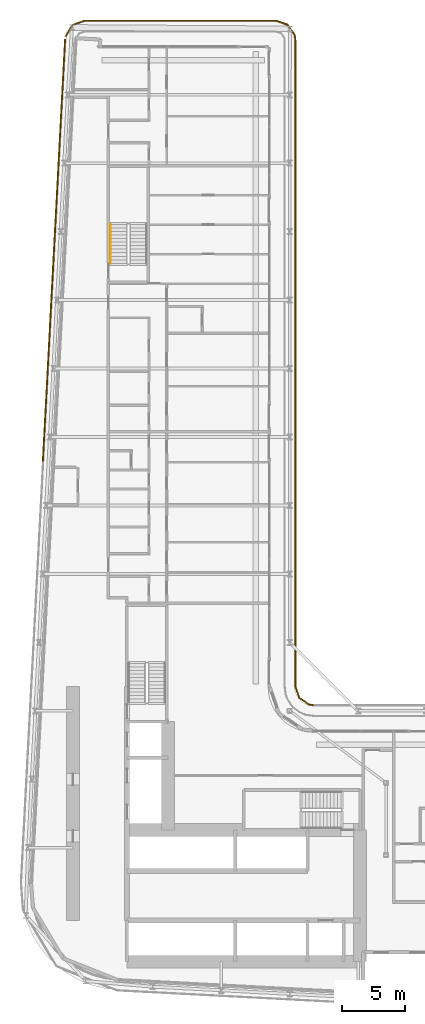
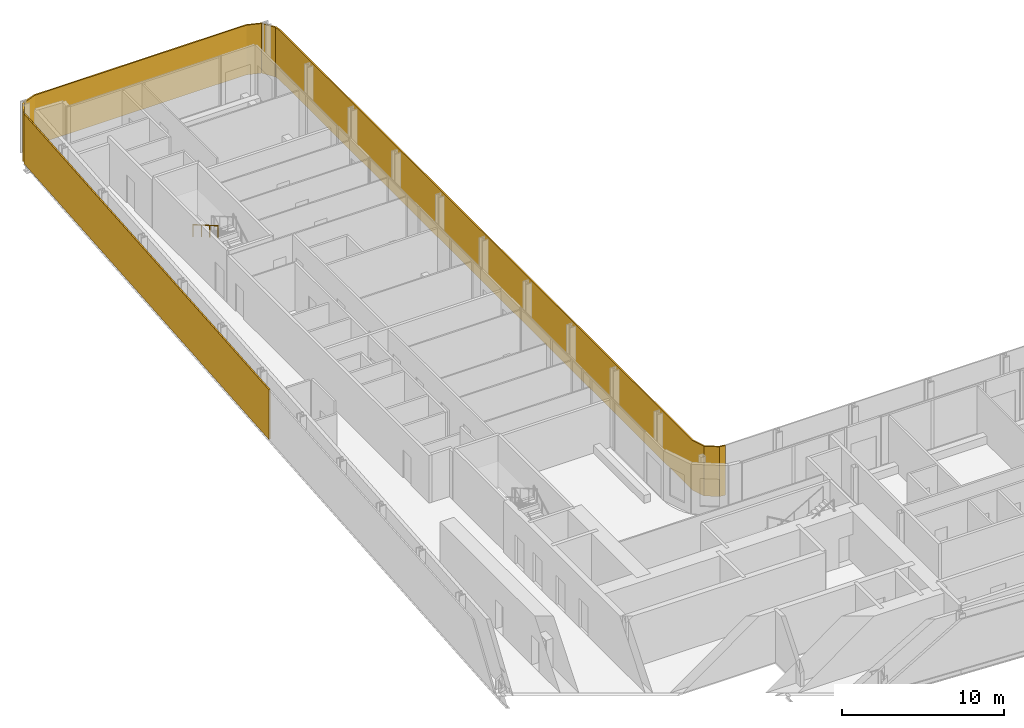
# One storey, part 23 of 25: 2 shading devices, 1 railing.
"""IFC4 building model written with IfcOpenShell, lengths in metres."""

from ifc_helpers import new_model, si_unit, direction, frame, origin, origin_2d, place, context, subcontext, project, spatial, polyline, rectangle, circle, outline, extrude, material, layer, layer_set, type_object, element, save


model = new_model("IFC4")

# Units and contexts
model_context = context("Model", 3, precision=1e-05, world=origin(), true_north=direction((0.0, 1.0)))
body_context = subcontext(model_context, "Body", "Model", "MODEL_VIEW")
ifc_project = project(units=[si_unit("LENGTHUNIT", "METRE"), si_unit("AREAUNIT", "SQUARE_METRE"), si_unit("VOLUMEUNIT", "CUBIC_METRE"), si_unit("PLANEANGLEUNIT", "RADIAN"), si_unit("MASSUNIT", "GRAM", prefix="KILO")], contexts=[model_context])

# Site, building, storey
site_placement = place(None, origin())
site = spatial("IfcSite", under=ifc_project, at=site_placement, CompositionType="ELEMENT")
building_placement = place(site_placement, origin())
building = spatial("IfcBuilding", under=site, at=building_placement, Name="Kheshtan School and Residences Tower", CompositionType="ELEMENT")
storey_placement = place(building_placement, frame((0.0, 0.0, 34.39990234375)))
storey = spatial("IfcBuildingStorey", under=building, at=storey_placement, Name="L07", CompositionType="ELEMENT", Elevation=34.39990234375)

# Shading devices
ifc_material_1 = material(Name="Terracotta baguette, extruded ceramic", Category="masonry")
ifc_layer_1 = layer(ifc_material_1, 0.10009765625)
ifc_layer_set_1 = layer_set([ifc_layer_1], Name="Ledge screen, terracotta baguettes")
shading_device_type_1 = type_object("IfcShadingDeviceType", Name="Ledge screen, terracotta baguettes", PredefinedType="USERDEFINED", material=ifc_layer_set_1)
shading_device_1_placement = place(storey_placement, frame((28.9990234375, 81.93408203125, 0.0), z_axis=(0.0, 0.0, 1.0), x_axis=(0.052562536748, 0.998617634398, 0.0)))
element("IfcShadingDevice", 1, at=shading_device_1_placement, inside=storey, type_object=shading_device_type_1, Name="Screen L07 5", ObjectType="BAGUETTE", PredefinedType="USERDEFINED", context=body_context, shape_type="SweptSolid", body=[
    extrude(rectangle(XDim=33.341064453125, YDim=0.10009765625, at=origin_2d()), origin(), (0.0, 0.0, 1.0), 3.75),
])
ifc_material_2 = material(Name="Terracotta lattice, extruded ceramic", Category="masonry")
ifc_layer_2 = layer(ifc_material_2, 0.10009765625)
ifc_layer_set_2 = layer_set([ifc_layer_2], Name="Loggia screen, terracotta lattice")
shading_device_type_2 = type_object("IfcShadingDeviceType", Name="Loggia screen, terracotta lattice", PredefinedType="USERDEFINED", material=ifc_layer_set_2)
shading_device_2_placement = place(storey_placement, origin())
element("IfcShadingDevice", 2, at=shading_device_2_placement, inside=storey, type_object=shading_device_type_2, Name="Screen L07 1", ObjectType="SCREEN", PredefinedType="USERDEFINED", context=body_context, shape_type="SweptSolid", body=[
    extrude(outline(polyline([(29.949951171875, 98.783935546875), (30.468017578125, 99.656982421875), (31.423095703125, 100.0), (46.5, 100.0), (47.4130859375, 99.68994140625), (47.948974609375, 98.887939453125), (48.0, 98.5), (48.0, 47.5), (48.31005859375, 46.5869140625), (49.112060546875, 46.051025390625), (49.5, 46.0), (49.512939453125, 46.09912109375), (49.14794921875, 46.14697265625), (48.39404296875, 46.65087890625), (48.10009765625, 47.51708984375), (48.10009765625, 98.507080078125), (48.044921875, 98.924072265625), (47.47705078125, 99.77392578125), (46.51708984375, 100.10009765625), (31.406005859375, 100.10009765625), (30.39990234375, 99.739013671875), (29.864013671875, 98.8349609375), (29.949951171875, 98.783935546875)])), origin(), (0.0, 0.0, 1.0), 3.75),
])

# Railing
ifc_material_3 = material(Name="Stainless steel handrail", Category="steel")
railing_type = type_object("IfcRailingType", Name="Stair handrail 900", PredefinedType="HANDRAIL", material=ifc_material_3)
railing_placement = place(storey_placement, frame((33.449951171875, 83.97998046875, 2.112548828125)))
element("IfcRailing", 3, at=railing_placement, inside=storey, type_object=railing_type, Name="L07 ST3 stair handrail 2", PredefinedType="HANDRAIL", context=body_context, shape_type="SweptSolid", body=[
    extrude(circle(Radius=0.02392578125, at=origin_2d()), frame((0.0, 0.0, 0.8759765625), z_axis=(0.0, -0.864890721111, 0.501960198159), x_axis=(1.0, 0.0, 0.0)), (0.0, 0.0, 1.0), 3.561279296875),
    extrude(circle(Radius=0.02099609375, at=origin_2d()), origin(), (0.0, 0.0, 1.0), 0.851806640625),
    extrude(circle(Radius=0.02099609375, at=origin_2d()), frame((0.0, -1.026611328125, 0.595947265625)), (0.0, 0.0, 1.0), 0.851806640625),
    extrude(circle(Radius=0.02099609375, at=origin_2d()), frame((0.0, -2.053466796875, 1.191650390625)), (0.0, 0.0, 1.0), 0.851806640625),
    extrude(circle(Radius=0.02099609375, at=origin_2d()), frame((0.0, -3.080078125, 1.78759765625)), (0.0, 0.0, 1.0), 0.851806640625),
])

save(model, "model.ifc")
